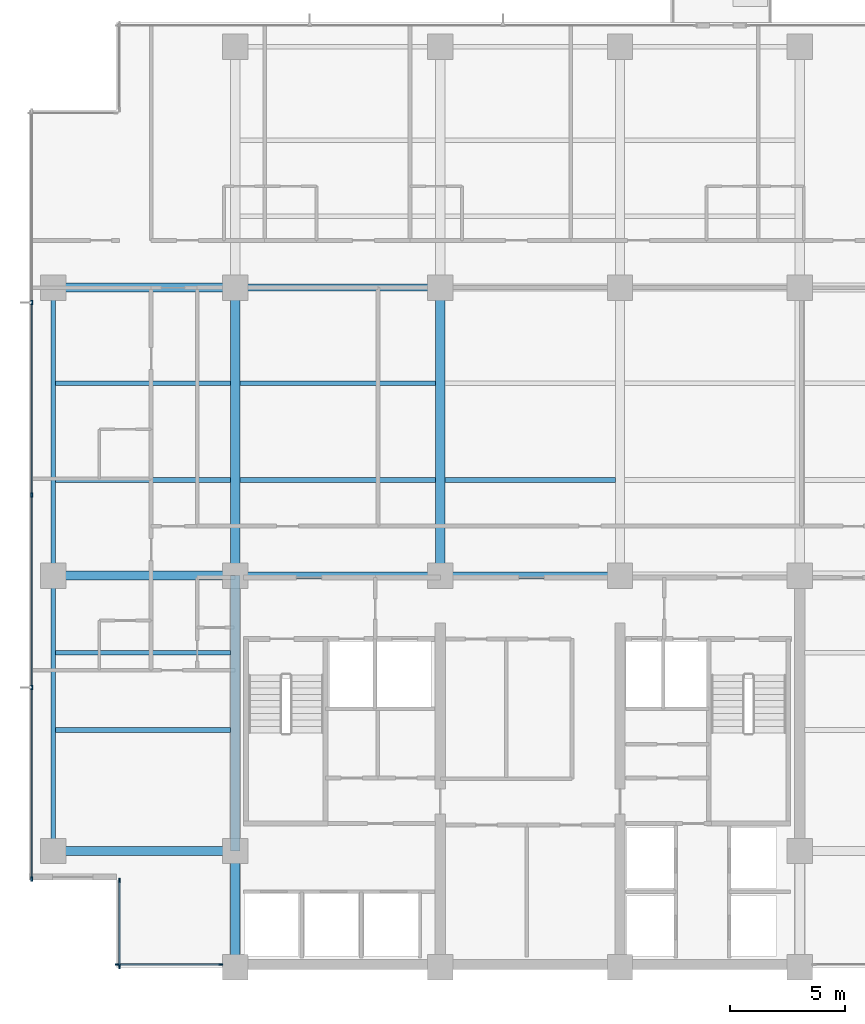
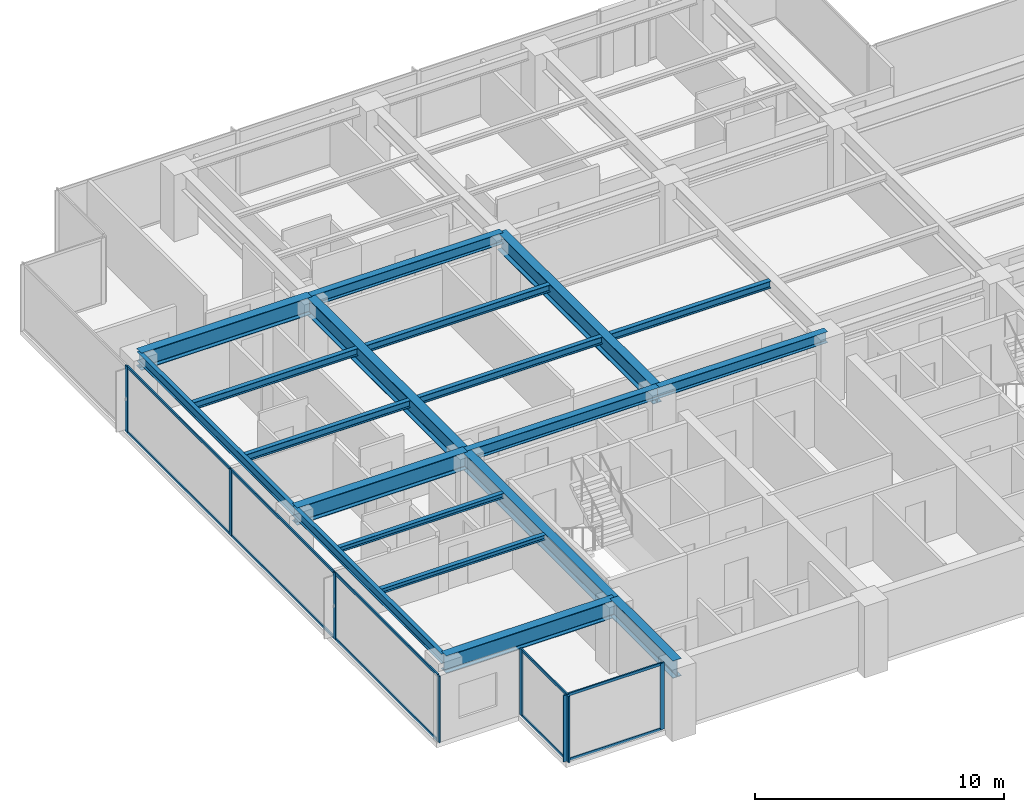
# One storey, part 2 of 15: 19 beams, 18 members, 3 elements without a shape of their own.
"""IFC4 building model written with IfcOpenShell, lengths in metres."""

import ifcopenshell
import ifcopenshell.guid

model = None  # the IFC model being written
_history = None  # IfcOwnerHistory: only IFC2X3 demands one
_inside = {}  # id of a spatial element -> (the spatial element, [elements in it])
_under = {}  # id of a project, library or spatial element -> (it, [spatial elements below it])
_declared = {}  # id of a project -> (the project, [libraries it declares])
_typed = {}  # id of a type object -> (the type object, [elements of that type])
_made_of = {}  # id of a material, layer set ... -> (it, [elements and type objects made of it])


def new_model(schema):
    """Start an empty IFC model of exactly this schema.

    Asked for "IFC4X3", IfcOpenShell would pick the latest addendum, in which some entities
    have other attributes; the version numbers below select the first issue.
    IFC2X3 requires an IfcOwnerHistory on every rooted entity: one is made here for all.
    """
    global model, _history
    if schema == "IFC4X3":
        model = ifcopenshell.file(schema_version=(4, 3, 0, 0))
    else:
        model = ifcopenshell.file(schema=schema)
    _inside.clear()
    _under.clear()
    _declared.clear()
    _typed.clear()
    _made_of.clear()
    _history = None
    if model.schema == "IFC2X3":
        org = make("IfcOrganization", Name="unknown")
        user = make(
            "IfcPersonAndOrganization",
            ThePerson=make("IfcPerson", FamilyName="unknown"),
            TheOrganization=org,
        )
        app = make(
            "IfcApplication",
            ApplicationDeveloper=org,
            Version="unknown",
            ApplicationFullName="unknown",
            ApplicationIdentifier="unknown",
        )
        _history = make(
            "IfcOwnerHistory",
            OwningUser=user,
            OwningApplication=app,
            ChangeAction="ADDED",
            CreationDate=0,
        )
    return model


def make(cls, **values):
    """One entity of the class cls with the attributes given. An attribute that is None is left unset."""
    return model.create_entity(
        cls, **{name: value for name, value in values.items() if value is not None}
    )


def rooted(cls, **values):
    """An entity with a GlobalId (a new one), such as an element, a storey or a relation."""
    return make(cls, GlobalId=ifcopenshell.guid.new(), OwnerHistory=_history, **values)


def si_unit(unit_type, name, prefix=None):
    """IfcSIUnit, for example si_unit("LENGTHUNIT", "METRE", prefix="MILLI")."""
    return make("IfcSIUnit", UnitType=unit_type, Prefix=prefix, Name=name)


def assignment(units):
    """IfcUnitAssignment: the units of a project."""
    return None if units is None else make("IfcUnitAssignment", Units=units)


def point(xyz):
    """IfcCartesianPoint."""
    return None if xyz is None else make("IfcCartesianPoint", Coordinates=xyz)


def direction(xyz):
    """IfcDirection."""
    return None if xyz is None else make("IfcDirection", DirectionRatios=xyz)


def frame(location, z_axis=None, x_axis=None):
    """IfcAxis2Placement3D, a coordinate frame: its origin and axes. An axis left out is left unset."""
    return make(
        "IfcAxis2Placement3D",
        Location=point(location),
        Axis=direction(z_axis),
        RefDirection=direction(x_axis),
    )


def frame_2d(location, x_axis=None):
    """IfcAxis2Placement2D, a coordinate frame in the plane: its origin and x axis."""
    return make(
        "IfcAxis2Placement2D", Location=point(location), RefDirection=direction(x_axis)
    )


def origin():
    """The frame at (0, 0, 0) with its axes left unset."""
    return frame((0.0, 0.0, 0.0))


def origin_2d():
    """The frame at (0, 0) in the plane with its x axis left unset."""
    return frame_2d((0.0, 0.0))


def place(relative_to, where):
    """IfcLocalPlacement: puts the frame where relative to a parent placement (None: the world)."""
    return make(
        "IfcLocalPlacement", PlacementRelTo=relative_to, RelativePlacement=where
    )


def context(
    kind, dimensions, precision=None, world=None, true_north=None, identifier=None
):
    """IfcGeometricRepresentationContext, for example the 3D "Model" context."""
    return make(
        "IfcGeometricRepresentationContext",
        ContextIdentifier=identifier,
        ContextType=kind,
        CoordinateSpaceDimension=dimensions,
        Precision=precision,
        WorldCoordinateSystem=world,
        TrueNorth=true_north,
    )


def subcontext(parent, identifier, kind, view, scale=None):
    """IfcGeometricRepresentationSubContext, for example "Body" below "Model"."""
    return make(
        "IfcGeometricRepresentationSubContext",
        ContextIdentifier=identifier,
        ContextType=kind,
        ParentContext=parent,
        TargetScale=scale,
        TargetView=view,
    )


def project(units=None, contexts=None):
    """IfcProject with its units and contexts."""
    return rooted(
        "IfcProject",
        Name="project",
        RepresentationContexts=contexts,
        UnitsInContext=assignment(units),
    )


def spatial(cls, under=None, at=None, **own):
    """A site, building, storey or space (cls), placed at a placement, below another one or the project."""
    s = rooted(cls, ObjectPlacement=at, **own)
    if under is not None:
        _under.setdefault(under.id(), (under, []))[1].append(s)
    return s


def profile(cls, at=None, kind="AREA", **sizes):
    """A parametric profile (cls). Its sizes go by their IFC names, for example OverallWidth=200.0."""
    return make(cls, ProfileType=kind, Position=at, **sizes)


def rectangle(**sizes):
    """IfcRectangleProfileDef."""
    return profile("IfcRectangleProfileDef", **sizes)


def i_section(**sizes):
    """IfcIShapeProfileDef."""
    return profile("IfcIShapeProfileDef", **sizes)


def extrude(swept, where, along, depth):
    """IfcExtrudedAreaSolid: the profile swept, set in the frame where, extruded along a direction by depth."""
    return make(
        "IfcExtrudedAreaSolid",
        SweptArea=swept,
        Position=where,
        ExtrudedDirection=direction(along),
        Depth=depth,
    )


def shape(context_of_items, identifier, shape_type, items):
    """IfcShapeRepresentation: the items that make up one representation, for example the "Body"."""
    return make(
        "IfcShapeRepresentation",
        ContextOfItems=context_of_items,
        RepresentationIdentifier=identifier,
        RepresentationType=shape_type,
        Items=items,
    )


def material(Name=None, Category=None):
    """IfcMaterial."""
    return make("IfcMaterial", Name=Name, Category=Category)


def layer(
    of_material, thickness, ventilated=None, Name=None, Category=None, Priority=None
):
    """IfcMaterialLayer: one layer of a wall or slab, of a material (None: an air gap)."""
    return make(
        "IfcMaterialLayer",
        Material=of_material,
        LayerThickness=thickness,
        IsVentilated=ventilated,
        Name=Name,
        Category=Category,
        Priority=Priority,
    )


def layer_set(layers, Name=None):
    """IfcMaterialLayerSet."""
    return make("IfcMaterialLayerSet", MaterialLayers=layers, LayerSetName=Name)


def material_profile(
    of_material, cross_section, Name=None, Category=None, Priority=None
):
    """IfcMaterialProfile: a cross section and its material."""
    return make(
        "IfcMaterialProfile",
        Name=Name,
        Material=of_material,
        Profile=cross_section,
        Priority=Priority,
        Category=Category,
    )


def profile_set(profiles, Name=None, composite=None):
    """IfcMaterialProfileSet."""
    return make(
        "IfcMaterialProfileSet",
        Name=Name,
        MaterialProfiles=profiles,
        CompositeProfile=composite,
    )


def made_of(thing, what):
    """Note that an element or type object is made of a material, layer set ...; save() writes the relation."""
    if what is not None:
        _made_of.setdefault(what.id(), (what, []))[1].append(thing)
    return thing


def type_object(cls, material=None, **own):
    """A type object (cls), such as IfcWallType, which elements share."""
    return made_of(rooted(cls, **own), material)


def element(
    cls,
    number,
    at=None,
    inside=None,
    cuts=None,
    type_object=None,
    material=None,
    context=None,
    identifier="Body",
    shape_type=None,
    held_by="IfcProductDefinitionShape",
    body=None,
    shapes=None,
    **own,
):
    """One element of the class cls, such as IfcWall. Its Tag is "e" and its number.

    at: its placement. inside: the storey or other place that contains it. cuts: it is an
    opening in that element (IfcRelVoidsElement). A single representation is given by context,
    identifier, shape_type and body (its items); several are given by shapes. held_by: the class
    of the entity that holds the representations. save() writes the other relations.
    """
    e = rooted(cls, Tag="e%d" % number, ObjectPlacement=at, **own)
    if body is not None:
        shapes = [shape(context, identifier, shape_type, body)]
    if shapes is not None:
        e.Representation = make(held_by, Representations=shapes)
    if inside is not None:
        _inside.setdefault(inside.id(), (inside, []))[1].append(e)
    if cuts is not None:
        rooted(
            "IfcRelVoidsElement", RelatingBuildingElement=cuts, RelatedOpeningElement=e
        )
    if type_object is not None:
        _typed.setdefault(type_object.id(), (type_object, []))[1].append(e)
    return made_of(e, material)


def aggregate(whole, parts):
    """IfcRelAggregates: a whole, such as a stair, and the parts it consists of."""
    return rooted("IfcRelAggregates", RelatingObject=whole, RelatedObjects=parts)


def save(model, path):
    """Write the relations noted so far, then the file.

    IfcRelAggregates (storeys below a building ...), IfcRelContainedInSpatialStructure (elements
    in a storey), IfcRelDefinesByType, IfcRelAssociatesMaterial and IfcRelDeclares: one each for
    every whole, place, type object, material and project.
    """
    for whole, parts in _under.values():
        aggregate(whole, parts)
    for where, things in _inside.values():
        rooted(
            "IfcRelContainedInSpatialStructure",
            RelatedElements=things,
            RelatingStructure=where,
        )
    for kind, things in _typed.values():
        rooted("IfcRelDefinesByType", RelatedObjects=things, RelatingType=kind)
    for what, things in _made_of.values():
        rooted("IfcRelAssociatesMaterial", RelatedObjects=things, RelatingMaterial=what)
    for by, libraries in _declared.values():
        rooted("IfcRelDeclares", RelatingContext=by, RelatedDefinitions=libraries)
    model.write(path)


model = new_model("IFC4")

# Units and contexts
model_context = context("Model", 3, precision=1e-05, world=origin(), true_north=direction((0.0, 1.0)))
body_context = subcontext(model_context, "Body", "Model", "MODEL_VIEW")
ifc_project = project(units=[si_unit("LENGTHUNIT", "METRE"), si_unit("AREAUNIT", "SQUARE_METRE"), si_unit("VOLUMEUNIT", "CUBIC_METRE"), si_unit("PLANEANGLEUNIT", "RADIAN"), si_unit("MASSUNIT", "GRAM", prefix="KILO")], contexts=[model_context])

# Site, building, storey
site_placement = place(None, origin())
site = spatial("IfcSite", under=ifc_project, at=site_placement, CompositionType="ELEMENT")
building_placement = place(site_placement, origin())
building = spatial("IfcBuilding", under=site, at=building_placement, Name="Qalmaran Belvedere Hotel", CompositionType="ELEMENT")
storey_placement = place(building_placement, frame((0.0, 0.0, 173.60009765625)))
storey = spatial("IfcBuildingStorey", under=building, at=storey_placement, Name="L44", CompositionType="ELEMENT", Elevation=173.60009765625)

# Beams
ifc_material_1 = material(Name="Steel S355JR", Category="steel")
ifc_material_profile_1 = material_profile(ifc_material_1, i_section(OverallWidth=0.201904296875, OverallDepth=0.2470703125, WebThickness=0.00732421875, FlangeThickness=0.010986328125, FilletRadius=0.011962890625, at=origin_2d()), Name="W250X49")
ifc_profile_set_1 = profile_set([ifc_material_profile_1], Name="Steel S355JR")
beam_type_1 = type_object("IfcBeamType", Name="BM-JST-W250X49", PredefinedType="JOIST", material=ifc_profile_set_1)
for number, where, z_axis, x_axis, name in (
    (1, (12.493896484375, 13.800048828125, 3.12646484375), (1.0, 0.0, 0.0), (0.0, 1.0, 0.0), "L44 West Wing Joist 038"),
    (2, (12.493896484375, 17.14990234375, 3.12646484375), (1.0, 0.0, 0.0), (0.0, 1.0, 0.0), "L44 West Wing Joist 040"),
):
    element("IfcBeam", number, at=place(storey_placement, frame(where, z_axis=z_axis, x_axis=x_axis)), inside=storey, type_object=beam_type_1, Name=name, PredefinedType="JOIST", context=body_context, shape_type="SweptSolid", body=[
        extrude(i_section(OverallWidth=0.201904296875, OverallDepth=0.2470703125, WebThickness=0.00732421875, FlangeThickness=0.010986328125, FilletRadius=0.011962890625, at=origin_2d()), origin(), (0.0, 0.0, 1.0), 7.608154296875),
    ])
ifc_material_profile_2 = material_profile(ifc_material_1, i_section(OverallWidth=0.39990234375, OverallDepth=0.85498046875, WebThickness=0.018310546875, FlangeThickness=0.029296875, FilletRadius=0.02392578125, at=origin_2d()), Name="W840X299")
ifc_profile_set_2 = profile_set([ifc_material_profile_2], Name="Steel S355JR")
beam_type_2 = type_object("IfcBeamType", Name="BM-PG3-W840X299", PredefinedType="USERDEFINED", material=ifc_profile_set_2)
for number, where, z_axis, x_axis, name in (
    (3, (20.300048828125, 20.5, 2.822509765625), (0.0, 1.0, 0.0), (-1.0, 0.0, 0.0), "L44 Mid-Plate N-S Girder 14"),
    (4, (29.199951171875, 20.5, 2.822509765625), (0.0, 1.0, 0.0), (-1.0, 0.0, 0.0), "L44 Mid-Plate N-S Girder 16"),
):
    element("IfcBeam", number, at=place(storey_placement, frame(where, z_axis=z_axis, x_axis=x_axis)), inside=storey, type_object=beam_type_2, Name=name, ObjectType="GIRDER", PredefinedType="USERDEFINED", context=body_context, shape_type="SweptSolid", body=[
        extrude(i_section(OverallWidth=0.39990234375, OverallDepth=0.85498046875, WebThickness=0.018310546875, FlangeThickness=0.029296875, FilletRadius=0.02392578125, at=origin_2d()), origin(), (0.0, 0.0, 1.0), 12.5),
    ])
for number, where, z_axis, x_axis, name in (
    (5, (12.39990234375, 8.550048828125, 2.822509765625), (1.0, 0.0, 0.0), (0.0, 1.0, 0.0), "L44 West Wing Girder 22"),
    (6, (12.39990234375, 20.5, 2.822509765625), (1.0, 0.0, 0.0), (0.0, 1.0, 0.0), "L44 West Wing Girder 23"),
    (7, (12.39990234375, 33.0, 2.822509765625), (1.0, 0.0, 0.0), (0.0, 1.0, 0.0), "L44 West Wing Girder 24"),
):
    element("IfcBeam", number, at=place(storey_placement, frame(where, z_axis=z_axis, x_axis=x_axis)), inside=storey, type_object=beam_type_2, Name=name, ObjectType="GIRDER", PredefinedType="USERDEFINED", context=body_context, shape_type="SweptSolid", body=[
        extrude(i_section(OverallWidth=0.39990234375, OverallDepth=0.85498046875, WebThickness=0.018310546875, FlangeThickness=0.029296875, FilletRadius=0.02392578125, at=origin_2d()), origin(), (0.0, 0.0, 1.0), 7.900146484375),
    ])
beam_1_placement = place(storey_placement, frame((20.300048828125, 3.5, 2.822509765625), z_axis=(0.0, 1.0, 0.0), x_axis=(-1.0, 0.0, 0.0)))
element("IfcBeam", 8, at=beam_1_placement, inside=storey, type_object=beam_type_2, Name="L44 West Core Edge Girder A", ObjectType="GIRDER", PredefinedType="USERDEFINED", context=body_context, shape_type="SweptSolid", body=[
    extrude(i_section(OverallWidth=0.39990234375, OverallDepth=0.85498046875, WebThickness=0.018310546875, FlangeThickness=0.029296875, FilletRadius=0.02392578125, at=origin_2d()), origin(), (0.0, 0.0, 1.0), 5.050048828125),
])
beam_2_placement = place(storey_placement, frame((20.300048828125, 8.550048828125, 2.822509765625), z_axis=(0.0, 1.0, 0.0), x_axis=(-1.0, 0.0, 0.0)))
element("IfcBeam", 9, at=beam_2_placement, inside=storey, type_object=beam_type_2, Name="L44 West Core Edge Girder B", ObjectType="GIRDER", PredefinedType="USERDEFINED", context=body_context, shape_type="SweptSolid", body=[
    extrude(i_section(OverallWidth=0.39990234375, OverallDepth=0.85498046875, WebThickness=0.018310546875, FlangeThickness=0.029296875, FilletRadius=0.02392578125, at=origin_2d()), origin(), (0.0, 0.0, 1.0), 11.949951171875),
])
ifc_material_profile_3 = material_profile(ifc_material_1, i_section(OverallWidth=0.205078125, OverallDepth=0.35400390625, WebThickness=0.009521484375, FlangeThickness=0.016845703125, FilletRadius=0.014892578125, at=origin_2d()), Name="W360X79")
ifc_profile_set_3 = profile_set([ifc_material_profile_3], Name="Steel S355JR")
beam_type_3 = type_object("IfcBeamType", Name="BM-SB3-W360X79", PredefinedType="BEAM", material=ifc_profile_set_3)
beam_3_placement = place(storey_placement, frame((12.493896484375, 24.64990234375, 3.072998046875), z_axis=(1.0, 0.0, 0.0), x_axis=(0.0, 1.0, 0.0)))
element("IfcBeam", 10, at=beam_3_placement, inside=storey, type_object=beam_type_3, Name="L44 West Secondary Beam 028", PredefinedType="BEAM", context=body_context, shape_type="SweptSolid", body=[
    extrude(i_section(OverallWidth=0.205078125, OverallDepth=0.35400390625, WebThickness=0.009521484375, FlangeThickness=0.016845703125, FilletRadius=0.014892578125, at=origin_2d()), origin(), (0.0, 0.0, 1.0), 7.608154296875),
])
beam_4_placement = place(storey_placement, frame((20.498046875, 24.64990234375, 3.072998046875), z_axis=(1.0, 0.0, 0.0), x_axis=(0.0, 1.0, 0.0)))
element("IfcBeam", 11, at=beam_4_placement, inside=storey, type_object=beam_type_3, Name="L44 Secondary Floor Beam 029", PredefinedType="BEAM", context=body_context, shape_type="SweptSolid", body=[
    extrude(i_section(OverallWidth=0.205078125, OverallDepth=0.35400390625, WebThickness=0.009521484375, FlangeThickness=0.016845703125, FilletRadius=0.014892578125, at=origin_2d()), origin(), (0.0, 0.0, 1.0), 8.50390625),
])
beam_5_placement = place(storey_placement, frame((29.39794921875, 24.64990234375, 3.072998046875), z_axis=(1.0, 0.0, 0.0), x_axis=(0.0, 1.0, 0.0)))
element("IfcBeam", 12, at=beam_5_placement, inside=storey, type_object=beam_type_3, Name="L44 Secondary Floor Beam 030", PredefinedType="BEAM", context=body_context, shape_type="SweptSolid", body=[
    extrude(i_section(OverallWidth=0.205078125, OverallDepth=0.35400390625, WebThickness=0.009521484375, FlangeThickness=0.016845703125, FilletRadius=0.014892578125, at=origin_2d()), origin(), (0.0, 0.0, 1.0), 7.404052734375),
])
beam_6_placement = place(storey_placement, frame((12.493896484375, 28.85009765625, 3.072998046875), z_axis=(1.0, 0.0, 0.0), x_axis=(0.0, 1.0, 0.0)))
element("IfcBeam", 13, at=beam_6_placement, inside=storey, type_object=beam_type_3, Name="L44 West Secondary Beam 033", PredefinedType="BEAM", context=body_context, shape_type="SweptSolid", body=[
    extrude(i_section(OverallWidth=0.205078125, OverallDepth=0.35400390625, WebThickness=0.009521484375, FlangeThickness=0.016845703125, FilletRadius=0.014892578125, at=origin_2d()), origin(), (0.0, 0.0, 1.0), 7.608154296875),
])
beam_7_placement = place(storey_placement, frame((20.498046875, 28.85009765625, 3.072998046875), z_axis=(1.0, 0.0, 0.0), x_axis=(0.0, 1.0, 0.0)))
element("IfcBeam", 14, at=beam_7_placement, inside=storey, type_object=beam_type_3, Name="L44 Secondary Floor Beam 034", PredefinedType="BEAM", context=body_context, shape_type="SweptSolid", body=[
    extrude(i_section(OverallWidth=0.205078125, OverallDepth=0.35400390625, WebThickness=0.009521484375, FlangeThickness=0.016845703125, FilletRadius=0.014892578125, at=origin_2d()), origin(), (0.0, 0.0, 1.0), 8.50390625),
])
ifc_material_profile_4 = material_profile(ifc_material_1, i_section(OverallWidth=0.19189453125, OverallDepth=0.462890625, WebThickness=0.010498046875, FlangeThickness=0.017578125, FilletRadius=0.01611328125, at=origin_2d()), Name="W460X89")
ifc_profile_set_4 = profile_set([ifc_material_profile_4], Name="Steel S355JR")
beam_type_4 = type_object("IfcBeamType", Name="BM-SP2-W460X89", PredefinedType="SPANDREL", material=ifc_profile_set_4)
beam_8_placement = place(storey_placement, frame((12.39990234375, 8.550048828125, 3.018310546875), z_axis=(0.0, 1.0, 0.0), x_axis=(-1.0, 0.0, 0.0)))
element("IfcBeam", 15, at=beam_8_placement, inside=storey, type_object=beam_type_4, Name="L44 Perimeter Spandrel 01", PredefinedType="SPANDREL", context=body_context, shape_type="SweptSolid", body=[
    extrude(i_section(OverallWidth=0.19189453125, OverallDepth=0.462890625, WebThickness=0.010498046875, FlangeThickness=0.017578125, FilletRadius=0.01611328125, at=origin_2d()), origin(), (0.0, 0.0, 1.0), 11.949951171875),
])
beam_9_placement = place(storey_placement, frame((12.39990234375, 20.5, 3.018310546875), z_axis=(0.0, 1.0, 0.0), x_axis=(-1.0, 0.0, 0.0)))
element("IfcBeam", 16, at=beam_9_placement, inside=storey, type_object=beam_type_4, Name="L44 Perimeter Spandrel 02", PredefinedType="SPANDREL", context=body_context, shape_type="SweptSolid", body=[
    extrude(i_section(OverallWidth=0.19189453125, OverallDepth=0.462890625, WebThickness=0.010498046875, FlangeThickness=0.017578125, FilletRadius=0.01611328125, at=origin_2d()), origin(), (0.0, 0.0, 1.0), 12.5),
])
ifc_material_profile_5 = material_profile(ifc_material_1, i_section(OverallWidth=0.31201171875, OverallDepth=0.54296875, WebThickness=0.0126953125, FlangeThickness=0.020263671875, FilletRadius=0.01806640625, at=origin_2d()), Name="W530X150")
ifc_profile_set_5 = profile_set([ifc_material_profile_5], Name="Steel S355JR")
beam_type_5 = type_object("IfcBeamType", Name="BM-Z3-W530X150", PredefinedType="USERDEFINED", material=ifc_profile_set_5)
beam_10_placement = place(storey_placement, frame((20.300048828125, 20.5, 2.978515625), z_axis=(1.0, 0.0, 0.0), x_axis=(0.0, 1.0, 0.0)))
element("IfcBeam", 17, at=beam_10_placement, inside=storey, type_object=beam_type_5, Name="L44 Interior E-W Girder 08", ObjectType="GIRDER", PredefinedType="USERDEFINED", context=body_context, shape_type="SweptSolid", body=[
    extrude(i_section(OverallWidth=0.31201171875, OverallDepth=0.54296875, WebThickness=0.0126953125, FlangeThickness=0.020263671875, FilletRadius=0.01806640625, at=origin_2d()), origin(), (0.0, 0.0, 1.0), 8.89990234375),
])
beam_11_placement = place(storey_placement, frame((29.199951171875, 20.5, 2.978515625), z_axis=(1.0, 0.0, 0.0), x_axis=(0.0, 1.0, 0.0)))
element("IfcBeam", 18, at=beam_11_placement, inside=storey, type_object=beam_type_5, Name="L44 Interior E-W Girder 09", ObjectType="GIRDER", PredefinedType="USERDEFINED", context=body_context, shape_type="SweptSolid", body=[
    extrude(i_section(OverallWidth=0.31201171875, OverallDepth=0.54296875, WebThickness=0.0126953125, FlangeThickness=0.020263671875, FilletRadius=0.01806640625, at=origin_2d()), origin(), (0.0, 0.0, 1.0), 7.800048828125),
])
beam_12_placement = place(storey_placement, frame((20.300048828125, 33.0, 2.978515625), z_axis=(1.0, 0.0, 0.0), x_axis=(0.0, 1.0, 0.0)))
element("IfcBeam", 19, at=beam_12_placement, inside=storey, type_object=beam_type_5, Name="L44 Interior E-W Girder 11", ObjectType="GIRDER", PredefinedType="USERDEFINED", context=body_context, shape_type="SweptSolid", body=[
    extrude(i_section(OverallWidth=0.31201171875, OverallDepth=0.54296875, WebThickness=0.0126953125, FlangeThickness=0.020263671875, FilletRadius=0.01806640625, at=origin_2d()), origin(), (0.0, 0.0, 1.0), 8.89990234375),
])

# Curtain wall, members
ifc_material_2 = material(Name="Anodised Bronze Aluminium", Category="aluminium")
ifc_layer = layer(ifc_material_2, 0.195068359375, Name="Anodised Bronze Aluminium")
ifc_layer_set = layer_set([ifc_layer], Name="Anodised Bronze Aluminium")
curtain_wall_type = type_object("IfcCurtainWallType", Name="CW4-TOWER-HIGHMID", PredefinedType="NOTDEFINED", material=ifc_layer_set)
curtain_wall_1_placement = place(storey_placement, origin())
curtain_wall_1 = element("IfcCurtainWall", 20, at=curtain_wall_1_placement, inside=storey, type_object=curtain_wall_type, Name="L44 Curtain Wall CW4", PredefinedType="NOTDEFINED")
ifc_material_profile_6 = material_profile(ifc_material_2, rectangle(XDim=0.070068359375, YDim=0.18994140625, at=origin_2d()), Name="CWM70X190")
ifc_profile_set_6 = profile_set([ifc_material_profile_6], Name="Anodised Bronze Aluminium")
member_type_1 = type_object("IfcMemberType", Name="CWM-70X190", PredefinedType="MULLION", material=ifc_profile_set_6)
member_1_placement = place(storey_placement, frame((15.18505859375, 3.6201171875, 0.0), z_axis=(0.0, 0.0, 1.0), x_axis=(0.0, 1.0, 0.0)))
member_1 = element("IfcMember", 21, at=member_1_placement, type_object=member_type_1, Name="CW4 mullion 1", PredefinedType="MULLION", context=body_context, shape_type="SweptSolid", body=[
    extrude(rectangle(XDim=0.070068359375, YDim=0.18994140625, at=origin_2d()), origin(), (0.0, 0.0, 1.0), 3.25),
])
member_2_placement = place(storey_placement, frame((19.675048828125, 3.6201171875, 0.0), z_axis=(0.0, 0.0, 1.0), x_axis=(0.0, 1.0, 0.0)))
member_2 = element("IfcMember", 22, at=member_2_placement, type_object=member_type_1, Name="CW4 mullion 2", PredefinedType="MULLION", context=body_context, shape_type="SweptSolid", body=[
    extrude(rectangle(XDim=0.070068359375, YDim=0.18994140625, at=origin_2d()), origin(), (0.0, 0.0, 1.0), 3.25),
])

curtain_wall_2_placement = place(storey_placement, origin())
curtain_wall_2 = element("IfcCurtainWall", 23, at=curtain_wall_2_placement, inside=storey, type_object=curtain_wall_type, Name="L44 Curtain Wall CW4", PredefinedType="NOTDEFINED")
member_3_placement = place(storey_placement, frame((11.469970703125, 32.35009765625, 0.0), z_axis=(0.0, 0.0, 1.0), x_axis=(1.0, 0.0, 0.0)))
member_3 = element("IfcMember", 24, at=member_3_placement, type_object=member_type_1, Name="CW4 mullion 2", PredefinedType="MULLION", context=body_context, shape_type="SweptSolid", body=[
    extrude(rectangle(XDim=0.070068359375, YDim=0.18994140625, at=origin_2d()), origin(), (0.0, 0.0, 1.0), 3.25),
])
member_4_placement = place(storey_placement, frame((11.469970703125, 24.0, 0.0), z_axis=(0.0, 0.0, 1.0), x_axis=(1.0, 0.0, 0.0)))
member_4 = element("IfcMember", 25, at=member_4_placement, type_object=member_type_1, Name="CW4 mullion 3", PredefinedType="MULLION", context=body_context, shape_type="SweptSolid", body=[
    extrude(rectangle(XDim=0.070068359375, YDim=0.18994140625, at=origin_2d()), origin(), (0.0, 0.0, 1.0), 3.25),
])
member_5_placement = place(storey_placement, frame((11.469970703125, 15.64990234375, 0.0), z_axis=(0.0, 0.0, 1.0), x_axis=(1.0, 0.0, 0.0)))
member_5 = element("IfcMember", 26, at=member_5_placement, type_object=member_type_1, Name="CW4 mullion 4", PredefinedType="MULLION", context=body_context, shape_type="SweptSolid", body=[
    extrude(rectangle(XDim=0.070068359375, YDim=0.18994140625, at=origin_2d()), origin(), (0.0, 0.0, 1.0), 3.25),
])
member_6_placement = place(storey_placement, frame((11.469970703125, 7.3349609375, 0.0), z_axis=(0.0, 0.0, 1.0), x_axis=(1.0, 0.0, 0.0)))
member_6 = element("IfcMember", 27, at=member_6_placement, type_object=member_type_1, Name="CW4 mullion 5", PredefinedType="MULLION", context=body_context, shape_type="SweptSolid", body=[
    extrude(rectangle(XDim=0.070068359375, YDim=0.18994140625, at=origin_2d()), origin(), (0.0, 0.0, 1.0), 3.25),
])

curtain_wall_3_placement = place(storey_placement, origin())
curtain_wall_3 = element("IfcCurtainWall", 28, at=curtain_wall_3_placement, inside=storey, type_object=curtain_wall_type, Name="L44 Curtain Wall CW4", PredefinedType="NOTDEFINED")
member_7_placement = place(storey_placement, frame((15.27001953125, 7.264892578125, 0.0), z_axis=(0.0, 0.0, 1.0), x_axis=(1.0, 0.0, 0.0)))
member_7 = element("IfcMember", 29, at=member_7_placement, type_object=member_type_1, Name="CW4 mullion 1", PredefinedType="MULLION", context=body_context, shape_type="SweptSolid", body=[
    extrude(rectangle(XDim=0.070068359375, YDim=0.18994140625, at=origin_2d()), origin(), (0.0, 0.0, 1.0), 3.25),
])
member_8_placement = place(storey_placement, frame((15.27001953125, 3.534912109375, 0.0), z_axis=(0.0, 0.0, 1.0), x_axis=(1.0, 0.0, 0.0)))
member_8 = element("IfcMember", 30, at=member_8_placement, type_object=member_type_1, Name="CW4 mullion 2", PredefinedType="MULLION", context=body_context, shape_type="SweptSolid", body=[
    extrude(rectangle(XDim=0.070068359375, YDim=0.18994140625, at=origin_2d()), origin(), (0.0, 0.0, 1.0), 3.25),
])

# Member
ifc_material_profile_7 = material_profile(ifc_material_2, rectangle(XDim=0.06494140625, YDim=0.1298828125, at=origin_2d()), Name="CWT65X130")
ifc_profile_set_7 = profile_set([ifc_material_profile_7], Name="Anodised Bronze Aluminium")
member_type_2 = type_object("IfcMemberType", Name="CWT-65X130", PredefinedType="USERDEFINED", material=ifc_profile_set_7)
member_9_placement = place(storey_placement, frame((15.219970703125, 3.6201171875, 0.032470703125), z_axis=(1.0, 0.0, 0.0), x_axis=(0.0, 1.0, 0.0)))
member_9 = element("IfcMember", 31, at=member_9_placement, type_object=member_type_2, Name="CW4 transom 1.1", ObjectType="TRANSOM", PredefinedType="USERDEFINED", context=body_context, shape_type="SweptSolid", body=[
    extrude(rectangle(XDim=0.06494140625, YDim=0.1298828125, at=origin_2d()), origin(), (0.0, 0.0, 1.0), 4.419921875),
])

member_10_placement = place(storey_placement, frame((15.219970703125, 3.6201171875, 3.21728515625), z_axis=(1.0, 0.0, 0.0), x_axis=(0.0, 1.0, 0.0)))
member_10 = element("IfcMember", 32, at=member_10_placement, type_object=member_type_2, Name="CW4 transom 1.2", ObjectType="TRANSOM", PredefinedType="USERDEFINED", context=body_context, shape_type="SweptSolid", body=[
    extrude(rectangle(XDim=0.06494140625, YDim=0.1298828125, at=origin_2d()), origin(), (0.0, 0.0, 1.0), 4.419921875),
])

aggregate(curtain_wall_1, [member_1, member_2, member_9, member_10])

member_11_placement = place(storey_placement, frame((11.469970703125, 32.31494140625, 0.032470703125), z_axis=(0.0, -1.0, 0.0), x_axis=(1.0, 0.0, 0.0)))
member_11 = element("IfcMember", 33, at=member_11_placement, type_object=member_type_2, Name="CW4 transom 2.1", ObjectType="TRANSOM", PredefinedType="USERDEFINED", context=body_context, shape_type="SweptSolid", body=[
    extrude(rectangle(XDim=0.06494140625, YDim=0.1298828125, at=origin_2d()), origin(), (0.0, 0.0, 1.0), 8.280029296875),
])

member_12_placement = place(storey_placement, frame((11.469970703125, 32.31494140625, 3.21728515625), z_axis=(0.0, -1.0, 0.0), x_axis=(1.0, 0.0, 0.0)))
member_12 = element("IfcMember", 34, at=member_12_placement, type_object=member_type_2, Name="CW4 transom 2.2", ObjectType="TRANSOM", PredefinedType="USERDEFINED", context=body_context, shape_type="SweptSolid", body=[
    extrude(rectangle(XDim=0.06494140625, YDim=0.1298828125, at=origin_2d()), origin(), (0.0, 0.0, 1.0), 8.280029296875),
])

member_13_placement = place(storey_placement, frame((11.469970703125, 23.965087890625, 0.032470703125), z_axis=(0.0, -1.0, 0.0), x_axis=(1.0, 0.0, 0.0)))
member_13 = element("IfcMember", 35, at=member_13_placement, type_object=member_type_2, Name="CW4 transom 3.1", ObjectType="TRANSOM", PredefinedType="USERDEFINED", context=body_context, shape_type="SweptSolid", body=[
    extrude(rectangle(XDim=0.06494140625, YDim=0.1298828125, at=origin_2d()), origin(), (0.0, 0.0, 1.0), 8.280029296875),
])

member_14_placement = place(storey_placement, frame((11.469970703125, 23.965087890625, 3.21728515625), z_axis=(0.0, -1.0, 0.0), x_axis=(1.0, 0.0, 0.0)))
member_14 = element("IfcMember", 36, at=member_14_placement, type_object=member_type_2, Name="CW4 transom 3.2", ObjectType="TRANSOM", PredefinedType="USERDEFINED", context=body_context, shape_type="SweptSolid", body=[
    extrude(rectangle(XDim=0.06494140625, YDim=0.1298828125, at=origin_2d()), origin(), (0.0, 0.0, 1.0), 8.280029296875),
])

member_15_placement = place(storey_placement, frame((11.469970703125, 15.614990234375, 0.032470703125), z_axis=(0.0, -1.0, 0.0), x_axis=(1.0, 0.0, 0.0)))
member_15 = element("IfcMember", 37, at=member_15_placement, type_object=member_type_2, Name="CW4 transom 4.1", ObjectType="TRANSOM", PredefinedType="USERDEFINED", context=body_context, shape_type="SweptSolid", body=[
    extrude(rectangle(XDim=0.06494140625, YDim=0.1298828125, at=origin_2d()), origin(), (0.0, 0.0, 1.0), 8.244873046875),
])

member_16_placement = place(storey_placement, frame((11.469970703125, 15.614990234375, 3.21728515625), z_axis=(0.0, -1.0, 0.0), x_axis=(1.0, 0.0, 0.0)))
member_16 = element("IfcMember", 38, at=member_16_placement, type_object=member_type_2, Name="CW4 transom 4.2", ObjectType="TRANSOM", PredefinedType="USERDEFINED", context=body_context, shape_type="SweptSolid", body=[
    extrude(rectangle(XDim=0.06494140625, YDim=0.1298828125, at=origin_2d()), origin(), (0.0, 0.0, 1.0), 8.244873046875),
])

aggregate(curtain_wall_2, [member_3, member_4, member_5, member_6, member_11, member_12, member_13, member_14, member_15, member_16])

member_17_placement = place(storey_placement, frame((15.27001953125, 7.22998046875, 0.032470703125), z_axis=(0.0, -1.0, 0.0), x_axis=(1.0, 0.0, 0.0)))
member_17 = element("IfcMember", 39, at=member_17_placement, type_object=member_type_2, Name="CW4 transom 1.1", ObjectType="TRANSOM", PredefinedType="USERDEFINED", context=body_context, shape_type="SweptSolid", body=[
    extrude(rectangle(XDim=0.06494140625, YDim=0.1298828125, at=origin_2d()), origin(), (0.0, 0.0, 1.0), 3.659912109375),
])

member_18_placement = place(storey_placement, frame((15.27001953125, 7.22998046875, 3.21728515625), z_axis=(0.0, -1.0, 0.0), x_axis=(1.0, 0.0, 0.0)))
member_18 = element("IfcMember", 40, at=member_18_placement, type_object=member_type_2, Name="CW4 transom 1.2", ObjectType="TRANSOM", PredefinedType="USERDEFINED", context=body_context, shape_type="SweptSolid", body=[
    extrude(rectangle(XDim=0.06494140625, YDim=0.1298828125, at=origin_2d()), origin(), (0.0, 0.0, 1.0), 3.659912109375),
])

aggregate(curtain_wall_3, [member_7, member_8, member_17, member_18])

save(model, "model.ifc")
